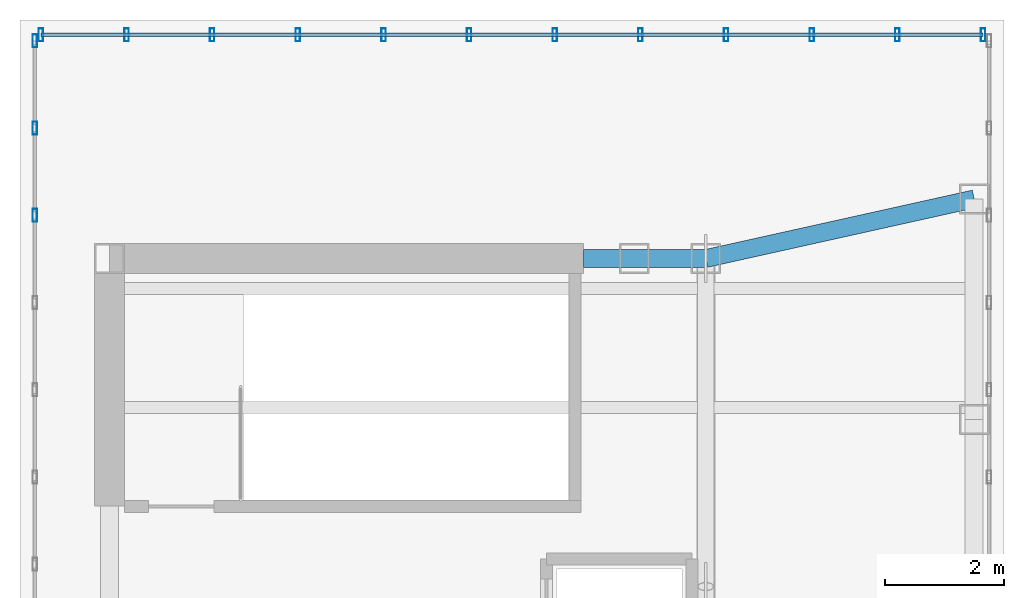
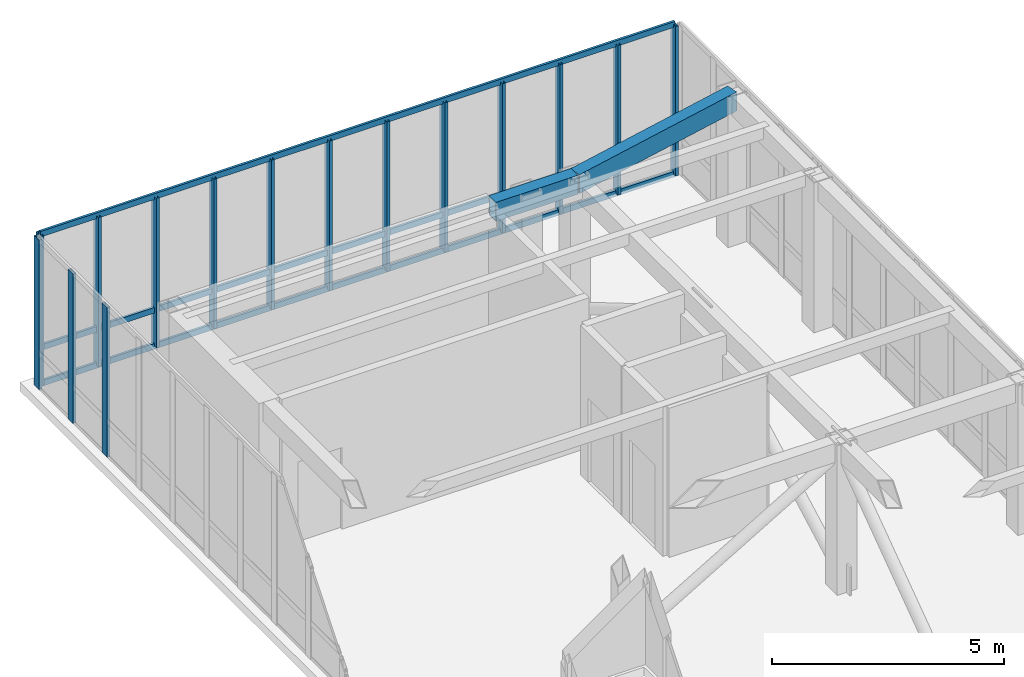
# One storey, part 9 of 13: 18 members, 2 beams, 2 elements without a shape of their own.
"""IFC4 building model written with IfcOpenShell, lengths in metres."""

from ifc_helpers import new_model, si_unit, direction, frame, origin, origin_2d, place, context, subcontext, project, spatial, hollow_rectangle, extrude, source, transform, mapped, material, layer, layer_set, material_profile, profile_set, type_object, element, aggregate, save


model = new_model("IFC4")

# Units and contexts
model_context = context("Model", 3, precision=1e-05, world=origin(), true_north=direction((0.0, 1.0)))
body_context = subcontext(model_context, "Body", "Model", "MODEL_VIEW")
ifc_project = project(units=[si_unit("LENGTHUNIT", "METRE"), si_unit("AREAUNIT", "SQUARE_METRE"), si_unit("VOLUMEUNIT", "CUBIC_METRE"), si_unit("PLANEANGLEUNIT", "RADIAN"), si_unit("MASSUNIT", "GRAM", prefix="KILO")], contexts=[model_context])

# Site, building, storey
site_placement = place(None, origin())
site = spatial("IfcSite", under=ifc_project, at=site_placement, CompositionType="ELEMENT")
building_placement = place(site_placement, origin())
building = spatial("IfcBuilding", under=site, at=building_placement, Name="Kharzan Plaza Tower", CompositionType="ELEMENT")
storey_placement = place(building_placement, frame((0.0, 0.0, 298.199951171875)))
storey = spatial("IfcBuildingStorey", under=building, at=storey_placement, Name="L80-CROWN", CompositionType="ELEMENT", Elevation=298.199951171875)

# Beams
ifc_material_1 = material(Name="Steel S355", Category="steel")
ifc_material_profile_1 = material_profile(ifc_material_1, hollow_rectangle(XDim=0.300048828125, YDim=0.5, WallThickness=0.02001953125, at=origin_2d()), Name="RHS500x300x20")
ifc_profile_set_1 = profile_set([ifc_material_profile_1], Name="Steel S355")
beam_type = type_object("IfcBeamType", Name="BM-CRN500", PredefinedType="BEAM", material=ifc_profile_set_1)
shared_shape_1 = source(origin(), body_context, "Body", "SweptSolid", [
    extrude(hollow_rectangle(XDim=0.300048828125, YDim=0.5, WallThickness=0.02001953125, at=origin_2d()), origin(), (0.0, 0.0, 1.0), 2.050048828125),
])
beam_1_placement = place(storey_placement, frame((12.449951171875, 29.5, 3.68994140625), z_axis=(1.0, 0.0, 0.0), x_axis=(0.0, 1.0, 0.0)))
element("IfcBeam", 1, at=beam_1_placement, inside=storey, type_object=beam_type, Name="L80-CROWN CROWN FRAME Lantern Ring Beam CRB-N2", PredefinedType="BEAM", context=body_context, shape_type="MappedRepresentation", body=[
    mapped(shared_shape_1, transform((0.0, 0.0, 0.0), x_axis=(1.0, 0.0, 0.0), y_axis=(0.0, 1.0, 0.0), z_axis=(0.0, 0.0, 1.0))),
])
shared_shape_2 = source(origin(), body_context, "Body", "SweptSolid", [
    extrude(hollow_rectangle(XDim=0.300048828125, YDim=0.5, WallThickness=0.02001953125, at=origin_2d()), origin(), (0.0, 0.0, 1.0), 4.60986328125),
])
beam_2_placement = place(storey_placement, frame((14.5, 29.5, 3.68994140625), z_axis=(0.976187060184, 0.216930457819, 0.0), x_axis=(-0.216930457819, 0.976187060184, 0.0)))
element("IfcBeam", 2, at=beam_2_placement, inside=storey, type_object=beam_type, Name="L80-CROWN CROWN FRAME Lantern Ring Beam CRB-N3", PredefinedType="BEAM", context=body_context, shape_type="MappedRepresentation", body=[
    mapped(shared_shape_2, transform((0.0, 0.0, 0.0), x_axis=(1.0, 0.0, 0.0), y_axis=(0.0, 1.0, 0.0), z_axis=(0.0, 0.0, 1.0))),
])

# Curtain wall, members
ifc_material_2 = material(Name="Unitised Bronze-Anodized Aluminium and Low-E Glass", Category="aluminium")
ifc_layer = layer(ifc_material_2, 0.199951171875)
ifc_layer_set = layer_set([ifc_layer], Name="Unitised Bronze-Anodized Aluminium and Low-E Glass")
curtain_wall_type = type_object("IfcCurtainWallType", Name="CW-LANTERN-6", PredefinedType="NOTDEFINED", material=ifc_layer_set)
curtain_wall_1_placement = place(storey_placement, origin())
curtain_wall_1 = element("IfcCurtainWall", 3, at=curtain_wall_1_placement, inside=storey, type_object=curtain_wall_type, Name="L80-CROWN Lantern Crown Illuminated Curtain Wall 3", PredefinedType="NOTDEFINED")
ifc_material_3 = material(Name="Anodized Bronze Aluminium", Category="aluminium")
ifc_material_profile_2 = material_profile(ifc_material_3, hollow_rectangle(XDim=0.06005859375, YDim=0.14990234375, WallThickness=0.00341796875, at=origin_2d()), Name="ALU-T150x60x3.5")
ifc_profile_set_2 = profile_set([ifc_material_profile_2], Name="Anodized Bronze Aluminium")
member_type_1 = type_object("IfcMemberType", Name="MEM-CW-TRN150", PredefinedType="USERDEFINED", material=ifc_profile_set_2)
shared_shape_3 = source(origin(), body_context, "Body", "SweptSolid", [
    extrude(hollow_rectangle(XDim=0.06005859375, YDim=0.14990234375, WallThickness=0.00341796875, at=origin_2d()), origin(), (0.0, 0.0, 1.0), 15.7998046875),
])
member_1_placement = place(storey_placement, frame((19.14990234375, 33.25, 0.0), z_axis=(-1.0, 0.0, 0.0), x_axis=(0.0, -1.0, 0.0)))
member_1 = element("IfcMember", 4, at=member_1_placement, type_object=member_type_1, Name="L80-CROWN Curtain-Wall Transom 1", ObjectType="TRANSOM", PredefinedType="USERDEFINED", context=body_context, shape_type="MappedRepresentation", body=[
    mapped(shared_shape_3, transform((0.0, 0.0, 0.0), x_axis=(1.0, 0.0, 0.0), y_axis=(0.0, 1.0, 0.0), z_axis=(0.0, 0.0, 1.0))),
])
member_2_placement = place(storey_placement, frame((19.14990234375, 33.25, 0.949951171875), z_axis=(-1.0, 0.0, 0.0), x_axis=(0.0, -1.0, 0.0)))
member_2 = element("IfcMember", 5, at=member_2_placement, type_object=member_type_1, Name="L80-CROWN Curtain-Wall Transom 2", ObjectType="TRANSOM", PredefinedType="USERDEFINED", context=body_context, shape_type="MappedRepresentation", body=[
    mapped(shared_shape_3, transform((0.0, 0.0, 0.0), x_axis=(1.0, 0.0, 0.0), y_axis=(0.0, 1.0, 0.0), z_axis=(0.0, 0.0, 1.0))),
])
member_3_placement = place(storey_placement, frame((19.14990234375, 33.25, 3.93994140625), z_axis=(-1.0, 0.0, 0.0), x_axis=(0.0, -1.0, 0.0)))
member_3 = element("IfcMember", 6, at=member_3_placement, type_object=member_type_1, Name="L80-CROWN Curtain-Wall Transom 3", ObjectType="TRANSOM", PredefinedType="USERDEFINED", context=body_context, shape_type="MappedRepresentation", body=[
    mapped(shared_shape_3, transform((0.0, 0.0, 0.0), x_axis=(1.0, 0.0, 0.0), y_axis=(0.0, 1.0, 0.0), z_axis=(0.0, 0.0, 1.0))),
])
ifc_material_profile_3 = material_profile(ifc_material_3, hollow_rectangle(XDim=0.074951171875, YDim=0.219970703125, WallThickness=0.00390625, at=origin_2d()), Name="ALU-M220x75x4")
ifc_profile_set_3 = profile_set([ifc_material_profile_3], Name="Anodized Bronze Aluminium")
member_type_2 = type_object("IfcMemberType", Name="MEM-CW-MUL200", PredefinedType="MULLION", material=ifc_profile_set_3)
shared_shape_4 = source(origin(), body_context, "Body", "SweptSolid", [
    extrude(hollow_rectangle(XDim=0.074951171875, YDim=0.219970703125, WallThickness=0.00390625, at=origin_2d()), origin(), (0.0, 0.0, 1.0), 3.93994140625),
])
member_4_placement = place(storey_placement, frame((19.14990234375, 33.25, 0.0), z_axis=(0.0, 0.0, 1.0), x_axis=(1.0, 0.0, 0.0)))
member_4 = element("IfcMember", 7, at=member_4_placement, type_object=member_type_2, Name="L80-CROWN Curtain-Wall Mullion 00", PredefinedType="MULLION", context=body_context, shape_type="MappedRepresentation", body=[
    mapped(shared_shape_4, transform((0.0, 0.0, 0.0), x_axis=(1.0, 0.0, 0.0), y_axis=(0.0, 1.0, 0.0), z_axis=(0.0, 0.0, 1.0))),
])
member_5_placement = place(storey_placement, frame((17.713623046875, 33.25, 0.0), z_axis=(0.0, 0.0, 1.0), x_axis=(1.0, 0.0, 0.0)))
member_5 = element("IfcMember", 8, at=member_5_placement, type_object=member_type_2, Name="L80-CROWN Curtain-Wall Mullion 01", PredefinedType="MULLION", context=body_context, shape_type="MappedRepresentation", body=[
    mapped(shared_shape_4, transform((0.0, 0.0, 0.0), x_axis=(1.0, 0.0, 0.0), y_axis=(0.0, 1.0, 0.0), z_axis=(0.0, 0.0, 1.0))),
])
member_6_placement = place(storey_placement, frame((16.27734375, 33.25, 0.0), z_axis=(0.0, 0.0, 1.0), x_axis=(1.0, 0.0, 0.0)))
member_6 = element("IfcMember", 9, at=member_6_placement, type_object=member_type_2, Name="L80-CROWN Curtain-Wall Mullion 02", PredefinedType="MULLION", context=body_context, shape_type="MappedRepresentation", body=[
    mapped(shared_shape_4, transform((0.0, 0.0, 0.0), x_axis=(1.0, 0.0, 0.0), y_axis=(0.0, 1.0, 0.0), z_axis=(0.0, 0.0, 1.0))),
])
member_7_placement = place(storey_placement, frame((14.8408203125, 33.25, 0.0), z_axis=(0.0, 0.0, 1.0), x_axis=(1.0, 0.0, 0.0)))
member_7 = element("IfcMember", 10, at=member_7_placement, type_object=member_type_2, Name="L80-CROWN Curtain-Wall Mullion 03", PredefinedType="MULLION", context=body_context, shape_type="MappedRepresentation", body=[
    mapped(shared_shape_4, transform((0.0, 0.0, 0.0), x_axis=(1.0, 0.0, 0.0), y_axis=(0.0, 1.0, 0.0), z_axis=(0.0, 0.0, 1.0))),
])
member_8_placement = place(storey_placement, frame((13.404541015625, 33.25, 0.0), z_axis=(0.0, 0.0, 1.0), x_axis=(1.0, 0.0, 0.0)))
member_8 = element("IfcMember", 11, at=member_8_placement, type_object=member_type_2, Name="L80-CROWN Curtain-Wall Mullion 04", PredefinedType="MULLION", context=body_context, shape_type="MappedRepresentation", body=[
    mapped(shared_shape_4, transform((0.0, 0.0, 0.0), x_axis=(1.0, 0.0, 0.0), y_axis=(0.0, 1.0, 0.0), z_axis=(0.0, 0.0, 1.0))),
])
member_9_placement = place(storey_placement, frame((11.96826171875, 33.25, 0.0), z_axis=(0.0, 0.0, 1.0), x_axis=(1.0, 0.0, 0.0)))
member_9 = element("IfcMember", 12, at=member_9_placement, type_object=member_type_2, Name="L80-CROWN Curtain-Wall Mullion 05", PredefinedType="MULLION", context=body_context, shape_type="MappedRepresentation", body=[
    mapped(shared_shape_4, transform((0.0, 0.0, 0.0), x_axis=(1.0, 0.0, 0.0), y_axis=(0.0, 1.0, 0.0), z_axis=(0.0, 0.0, 1.0))),
])
member_10_placement = place(storey_placement, frame((10.53173828125, 33.25, 0.0), z_axis=(0.0, 0.0, 1.0), x_axis=(1.0, 0.0, 0.0)))
member_10 = element("IfcMember", 13, at=member_10_placement, type_object=member_type_2, Name="L80-CROWN Curtain-Wall Mullion 06", PredefinedType="MULLION", context=body_context, shape_type="MappedRepresentation", body=[
    mapped(shared_shape_4, transform((0.0, 0.0, 0.0), x_axis=(1.0, 0.0, 0.0), y_axis=(0.0, 1.0, 0.0), z_axis=(0.0, 0.0, 1.0))),
])
member_11_placement = place(storey_placement, frame((9.095458984375, 33.25, 0.0), z_axis=(0.0, 0.0, 1.0), x_axis=(1.0, 0.0, 0.0)))
member_11 = element("IfcMember", 14, at=member_11_placement, type_object=member_type_2, Name="L80-CROWN Curtain-Wall Mullion 07", PredefinedType="MULLION", context=body_context, shape_type="MappedRepresentation", body=[
    mapped(shared_shape_4, transform((0.0, 0.0, 0.0), x_axis=(1.0, 0.0, 0.0), y_axis=(0.0, 1.0, 0.0), z_axis=(0.0, 0.0, 1.0))),
])
member_12_placement = place(storey_placement, frame((7.6591796875, 33.25, 0.0), z_axis=(0.0, 0.0, 1.0), x_axis=(1.0, 0.0, 0.0)))
member_12 = element("IfcMember", 15, at=member_12_placement, type_object=member_type_2, Name="L80-CROWN Curtain-Wall Mullion 08", PredefinedType="MULLION", context=body_context, shape_type="MappedRepresentation", body=[
    mapped(shared_shape_4, transform((0.0, 0.0, 0.0), x_axis=(1.0, 0.0, 0.0), y_axis=(0.0, 1.0, 0.0), z_axis=(0.0, 0.0, 1.0))),
])
member_13_placement = place(storey_placement, frame((6.22265625, 33.25, 0.0), z_axis=(0.0, 0.0, 1.0), x_axis=(1.0, 0.0, 0.0)))
member_13 = element("IfcMember", 16, at=member_13_placement, type_object=member_type_2, Name="L80-CROWN Curtain-Wall Mullion 09", PredefinedType="MULLION", context=body_context, shape_type="MappedRepresentation", body=[
    mapped(shared_shape_4, transform((0.0, 0.0, 0.0), x_axis=(1.0, 0.0, 0.0), y_axis=(0.0, 1.0, 0.0), z_axis=(0.0, 0.0, 1.0))),
])
member_14_placement = place(storey_placement, frame((4.786376953125, 33.25, 0.0), z_axis=(0.0, 0.0, 1.0), x_axis=(1.0, 0.0, 0.0)))
member_14 = element("IfcMember", 17, at=member_14_placement, type_object=member_type_2, Name="L80-CROWN Curtain-Wall Mullion 10", PredefinedType="MULLION", context=body_context, shape_type="MappedRepresentation", body=[
    mapped(shared_shape_4, transform((0.0, 0.0, 0.0), x_axis=(1.0, 0.0, 0.0), y_axis=(0.0, 1.0, 0.0), z_axis=(0.0, 0.0, 1.0))),
])
member_15_placement = place(storey_placement, frame((3.35009765625, 33.25, 0.0), z_axis=(0.0, 0.0, 1.0), x_axis=(1.0, 0.0, 0.0)))
member_15 = element("IfcMember", 18, at=member_15_placement, type_object=member_type_2, Name="L80-CROWN Curtain-Wall Mullion 11", PredefinedType="MULLION", context=body_context, shape_type="MappedRepresentation", body=[
    mapped(shared_shape_4, transform((0.0, 0.0, 0.0), x_axis=(1.0, 0.0, 0.0), y_axis=(0.0, 1.0, 0.0), z_axis=(0.0, 0.0, 1.0))),
])
aggregate(curtain_wall_1, [member_4, member_5, member_6, member_7, member_8, member_9, member_10, member_11, member_12, member_13, member_14, member_15, member_1, member_2, member_3])

curtain_wall_2_placement = place(storey_placement, origin())
curtain_wall_2 = element("IfcCurtainWall", 19, at=curtain_wall_2_placement, inside=storey, type_object=curtain_wall_type, Name="L80-CROWN Lantern Crown Illuminated Curtain Wall 4", PredefinedType="NOTDEFINED")
member_16_placement = place(storey_placement, frame((3.25, 33.14990234375, 0.0), z_axis=(0.0, 0.0, 1.0), x_axis=(1.0, 0.0, 0.0)))
member_16 = element("IfcMember", 20, at=member_16_placement, type_object=member_type_2, Name="L80-CROWN Curtain-Wall Mullion 00", PredefinedType="MULLION", context=body_context, shape_type="MappedRepresentation", body=[
    mapped(shared_shape_4, transform((0.0, 0.0, 0.0), x_axis=(1.0, 0.0, 0.0), y_axis=(0.0, 1.0, 0.0), z_axis=(0.0, 0.0, 1.0))),
])
member_17_placement = place(storey_placement, frame((3.25, 31.686767578125, 0.0), z_axis=(0.0, 0.0, 1.0), x_axis=(1.0, 0.0, 0.0)))
member_17 = element("IfcMember", 21, at=member_17_placement, type_object=member_type_2, Name="L80-CROWN Curtain-Wall Mullion 01", PredefinedType="MULLION", context=body_context, shape_type="MappedRepresentation", body=[
    mapped(shared_shape_4, transform((0.0, 0.0, 0.0), x_axis=(1.0, 0.0, 0.0), y_axis=(0.0, 1.0, 0.0), z_axis=(0.0, 0.0, 1.0))),
])
member_18_placement = place(storey_placement, frame((3.25, 30.2236328125, 0.0), z_axis=(0.0, 0.0, 1.0), x_axis=(1.0, 0.0, 0.0)))
member_18 = element("IfcMember", 22, at=member_18_placement, type_object=member_type_2, Name="L80-CROWN Curtain-Wall Mullion 02", PredefinedType="MULLION", context=body_context, shape_type="MappedRepresentation", body=[
    mapped(shared_shape_4, transform((0.0, 0.0, 0.0), x_axis=(1.0, 0.0, 0.0), y_axis=(0.0, 1.0, 0.0), z_axis=(0.0, 0.0, 1.0))),
])
aggregate(curtain_wall_2, [member_16, member_17, member_18])

save(model, "model.ifc")
